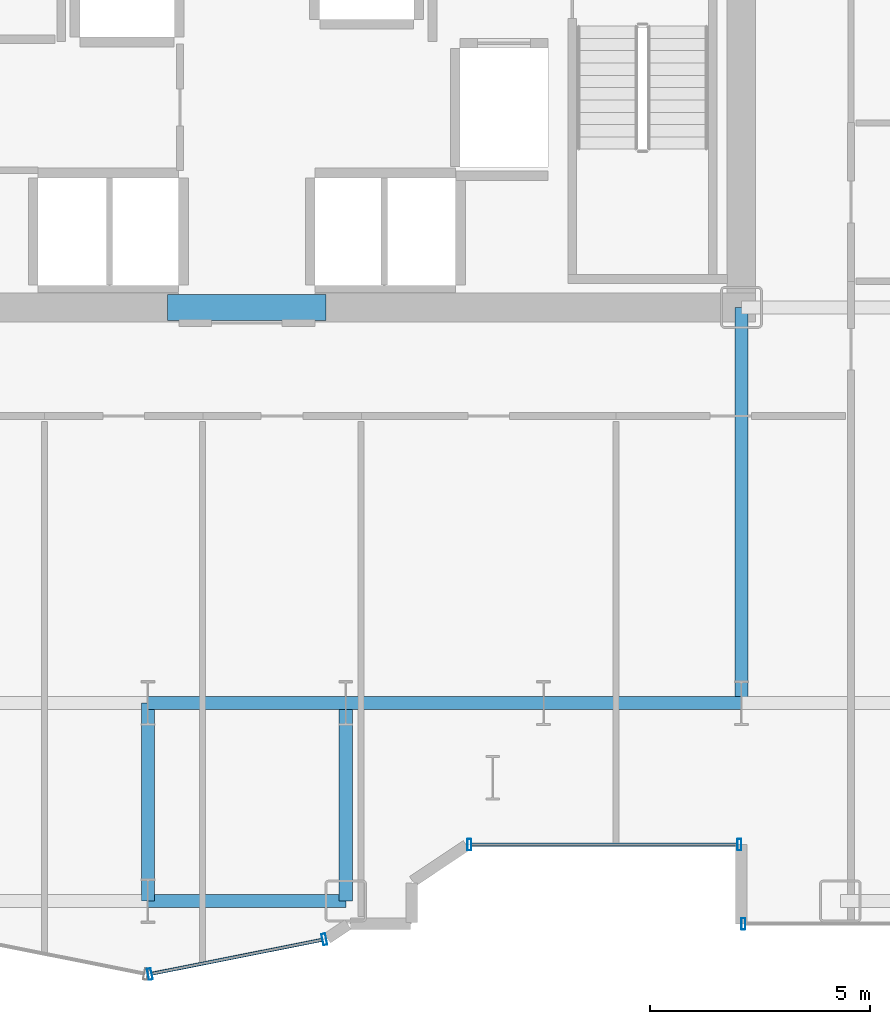
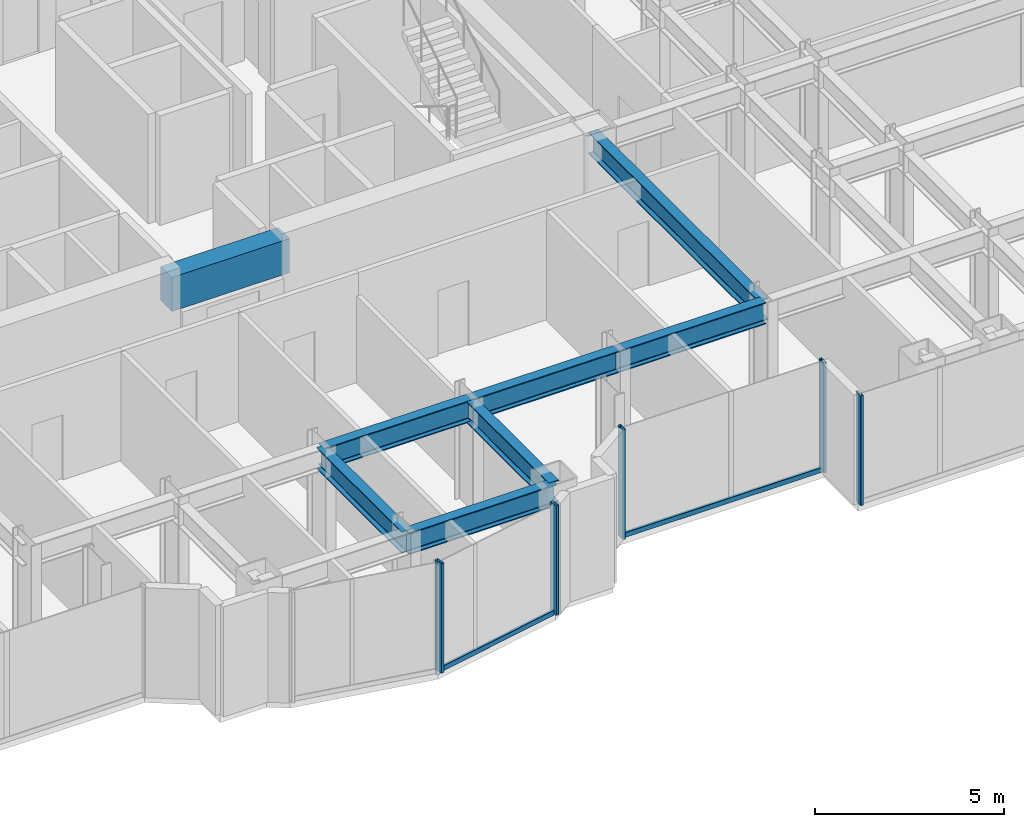
# One storey, part 6 of 26: 8 beams, 7 members, 3 elements without a shape of their own.
"""IFC4 building model written with IfcOpenShell, lengths in metres."""

from ifc_helpers import new_model, si_unit, direction, frame, origin, origin_2d, place, context, subcontext, project, spatial, rectangle, hollow_rectangle, i_section, extrude, source, transform, mapped, material, layer, layer_set, material_profile, profile_set, type_object, element, aggregate, save


model = new_model("IFC4")

# Units and contexts
model_context = context("Model", 3, precision=1e-05, world=origin(), true_north=direction((0.0, 1.0)))
body_context = subcontext(model_context, "Body", "Model", "MODEL_VIEW")
ifc_project = project(units=[si_unit("LENGTHUNIT", "METRE"), si_unit("AREAUNIT", "SQUARE_METRE"), si_unit("VOLUMEUNIT", "CUBIC_METRE"), si_unit("PLANEANGLEUNIT", "RADIAN"), si_unit("MASSUNIT", "GRAM", prefix="KILO")], contexts=[model_context])

# Site, building, storey
site_placement = place(None, origin())
site = spatial("IfcSite", under=ifc_project, at=site_placement, CompositionType="ELEMENT")
building_placement = place(site_placement, origin())
building = spatial("IfcBuilding", under=site, at=building_placement, Name="Nefas-Gora Pilgrimage Tower", CompositionType="ELEMENT")
storey_placement = place(building_placement, frame((0.0, 0.0, 36.800048828125)))
storey = spatial("IfcBuildingStorey", under=building, at=storey_placement, Name="L07", CompositionType="ELEMENT", Elevation=36.800048828125)

# Beams
ifc_material_1 = material(Name="Concrete C60/75", Category="concrete")
ifc_material_profile_1 = material_profile(ifc_material_1, rectangle(XDim=0.60009765625, YDim=1.10009765625, at=origin_2d()), Name="RC 600x1100")
ifc_profile_set_1 = profile_set([ifc_material_profile_1], Name="Concrete C60/75")
beam_type_1 = type_object("IfcBeamType", Name="BM-LIN-RC1100", PredefinedType="LINTEL", material=ifc_profile_set_1)
shared_shape_1 = source(origin(), body_context, "Body", "SweptSolid", [
    extrude(rectangle(XDim=0.60009765625, YDim=1.10009765625, at=origin_2d()), origin(), (0.0, 0.0, 1.0), 3.60009765625),
])
beam_1_placement = place(storey_placement, frame((-1.800048828125, -9.0, 3.0), z_axis=(1.0, 0.0, 0.0), x_axis=(0.0, 1.0, 0.0)))
element("IfcBeam", 1, at=beam_1_placement, inside=storey, type_object=beam_type_1, Name="L07 Core Coupling Lintel Beam S", PredefinedType="LINTEL", context=body_context, shape_type="MappedRepresentation", body=[
    mapped(shared_shape_1, transform((0.0, 0.0, 0.0), x_axis=(1.0, 0.0, 0.0), y_axis=(0.0, 1.0, 0.0), z_axis=(0.0, 0.0, 1.0), scale=1.0)),
])
ifc_material_2 = material(Name="Steel S355", Category="steel")
ifc_material_profile_2 = material_profile(ifc_material_2, i_section(OverallWidth=0.300048828125, OverallDepth=0.699951171875, WebThickness=0.01708984375, FlangeThickness=0.031982421875, FilletRadius=0.027099609375, at=origin_2d()), Name="HEB 700")
ifc_profile_set_2 = profile_set([ifc_material_profile_2], Name="Steel S355")
beam_type_2 = type_object("IfcBeamType", Name="BM-GIR-HEB700", PredefinedType="BEAM", material=ifc_profile_set_2)
shared_shape_2 = source(origin(), body_context, "Body", "SweptSolid", [
    extrude(i_section(OverallWidth=0.300048828125, OverallDepth=0.699951171875, WebThickness=0.01708984375, FlangeThickness=0.031982421875, FilletRadius=0.027099609375, at=origin_2d()), origin(), (0.0, 0.0, 1.0), 9.0),
])
beam_2_placement = place(storey_placement, frame((11.25, -18.0, 3.199951171875), z_axis=(0.0, 1.0, 0.0), x_axis=(-1.0, 0.0, 0.0)))
element("IfcBeam", 2, at=beam_2_placement, inside=storey, type_object=beam_type_2, Name="L07 G-02 beam", PredefinedType="BEAM", context=body_context, shape_type="MappedRepresentation", body=[
    mapped(shared_shape_2, transform((0.0, 0.0, 0.0), x_axis=(1.0, 0.0, 0.0), y_axis=(0.0, 1.0, 0.0), z_axis=(0.0, 0.0, 1.0), scale=1.0)),
])
shared_shape_3 = source(origin(), body_context, "Body", "SweptSolid", [
    extrude(i_section(OverallWidth=0.300048828125, OverallDepth=0.699951171875, WebThickness=0.01708984375, FlangeThickness=0.031982421875, FilletRadius=0.027099609375, at=origin_2d()), origin(), (0.0, 0.0, 1.0), 4.5),
])
for number, where, z_axis, x_axis, name in (
    (3, (-2.25, -22.5, 3.199951171875), (0.0, 1.0, 0.0), (-1.0, 0.0, 0.0), "L07 G-02 beam"),
    (4, (-2.25, -22.5, 3.199951171875), (1.0, 0.0, 0.0), (0.0, 1.0, 0.0), "L07 G-02 beam"),
    (5, (-2.25, -18.0, 3.199951171875), (1.0, 0.0, 0.0), (0.0, 1.0, 0.0), "L07 G-02 beam"),
    (6, (2.25, -22.5, 3.199951171875), (0.0, 1.0, 0.0), (-1.0, 0.0, 0.0), "L07 G-02 beam"),
    (7, (2.25, -18.0, 3.199951171875), (1.0, 0.0, 0.0), (0.0, 1.0, 0.0), "L07 G-02 beam"),
    (8, (6.75, -18.0, 3.199951171875), (1.0, 0.0, 0.0), (0.0, 1.0, 0.0), "L07 G-02 beam"),
):
    element("IfcBeam", number, at=place(storey_placement, frame(where, z_axis=z_axis, x_axis=x_axis)), inside=storey, type_object=beam_type_2, Name=name, PredefinedType="BEAM", context=body_context, shape_type="MappedRepresentation", body=[
        mapped(shared_shape_3, transform((0.0, 0.0, 0.0), x_axis=(1.0, 0.0, 0.0), y_axis=(0.0, 1.0, 0.0), z_axis=(0.0, 0.0, 1.0), scale=1.0)),
    ])

# Curtain wall, members
ifc_material_3 = material(Name="Dark ceramic-fritted solar-control aluminium-glass curtain wall", Category="aluminium")
ifc_layer_1 = layer(ifc_material_3, 0.219970703125)
ifc_layer_set_1 = layer_set([ifc_layer_1], Name="Dark ceramic-fritted solar-control aluminium-glass curtain wall")
curtain_wall_type_1 = type_object("IfcCurtainWallType", Name="CW-SYS-5", PredefinedType="NOTDEFINED", material=ifc_layer_set_1)
curtain_wall_1_placement = place(storey_placement, origin())
curtain_wall_1 = element("IfcCurtainWall", 9, at=curtain_wall_1_placement, inside=storey, type_object=curtain_wall_type_1, Name="L07 Unitised Curtain Wall CW5", PredefinedType="NOTDEFINED")
ifc_material_4 = material(Name="Anodised architectural aluminium", Category="aluminium")
ifc_material_profile_3 = material_profile(ifc_material_4, hollow_rectangle(XDim=0.090087890625, YDim=0.260009765625, WallThickness=0.006103515625, InnerFilletRadius=0.006103515625, OuterFilletRadius=0.011962890625, at=origin_2d()), Name="ALU MULLION 90x260")
ifc_profile_set_3 = profile_set([ifc_material_profile_3], Name="Anodised architectural aluminium")
member_type_1 = type_object("IfcMemberType", Name="CWM-MUL-5", PredefinedType="MULLION", material=ifc_profile_set_3)
shared_shape_4 = source(origin(), body_context, "Body", "SweptSolid", [
    extrude(hollow_rectangle(XDim=0.090087890625, YDim=0.260009765625, WallThickness=0.006103515625, InnerFilletRadius=0.006103515625, OuterFilletRadius=0.011962890625, at=origin_2d()), origin(), (0.0, 0.0, 1.0), 3.550048828125),
])
member_1_placement = place(storey_placement, frame((5.06298828125, -21.219970703125, 0.0), z_axis=(0.0, 0.0, 1.0), x_axis=(1.0, 0.0, 0.0)))
member_1 = element("IfcMember", 10, at=member_1_placement, type_object=member_type_1, Name="CW5 Mullion 1", PredefinedType="MULLION", context=body_context, shape_type="MappedRepresentation", body=[
    mapped(shared_shape_4, transform((0.0, 0.0, 0.0), x_axis=(1.0, 0.0, 0.0), y_axis=(0.0, 1.0, 0.0), z_axis=(0.0, 0.0, 1.0), scale=1.0)),
])
member_2_placement = place(storey_placement, frame((11.205078125, -21.219970703125, 0.0), z_axis=(0.0, 0.0, 1.0), x_axis=(1.0, 0.0, 0.0)))
member_2 = element("IfcMember", 11, at=member_2_placement, type_object=member_type_1, Name="CW5 Mullion 2", PredefinedType="MULLION", context=body_context, shape_type="MappedRepresentation", body=[
    mapped(shared_shape_4, transform((0.0, 0.0, 0.0), x_axis=(1.0, 0.0, 0.0), y_axis=(0.0, 1.0, 0.0), z_axis=(0.0, 0.0, 1.0), scale=1.0)),
])

curtain_wall_2_placement = place(storey_placement, origin())
curtain_wall_2 = element("IfcCurtainWall", 12, at=curtain_wall_2_placement, inside=storey, type_object=curtain_wall_type_1, Name="L07 Unitised Curtain Wall CW5", PredefinedType="NOTDEFINED")
member_3_placement = place(storey_placement, frame((-2.205810546875, -24.16357421875, 0.0), z_axis=(0.0, 0.0, 1.0), x_axis=(0.980782896852, 0.195102304554, 0.0)))
member_3 = element("IfcMember", 13, at=member_3_placement, type_object=member_type_1, Name="CW5 Mullion 1", PredefinedType="MULLION", context=body_context, shape_type="MappedRepresentation", body=[
    mapped(shared_shape_4, transform((0.0, 0.0, 0.0), x_axis=(1.0, 0.0, 0.0), y_axis=(0.0, 1.0, 0.0), z_axis=(0.0, 0.0, 1.0), scale=1.0)),
])
member_4_placement = place(storey_placement, frame((1.76318359375, -23.3740234375, 0.0), z_axis=(0.0, 0.0, 1.0), x_axis=(0.980782896852, 0.195102304554, 0.0)))
member_4 = element("IfcMember", 14, at=member_4_placement, type_object=member_type_1, Name="CW5 Mullion 2", PredefinedType="MULLION", context=body_context, shape_type="MappedRepresentation", body=[
    mapped(shared_shape_4, transform((0.0, 0.0, 0.0), x_axis=(1.0, 0.0, 0.0), y_axis=(0.0, 1.0, 0.0), z_axis=(0.0, 0.0, 1.0), scale=1.0)),
])

# Member
ifc_material_profile_4 = material_profile(ifc_material_4, hollow_rectangle(XDim=0.080078125, YDim=0.159912109375, WallThickness=0.00439453125, InnerFilletRadius=0.00439453125, OuterFilletRadius=0.009033203125, at=origin_2d()), Name="ALU TRANSOM 80x160")
ifc_profile_set_4 = profile_set([ifc_material_profile_4], Name="Anodised architectural aluminium")
member_type_2 = type_object("IfcMemberType", Name="CWM-TRN-5", PredefinedType="USERDEFINED", material=ifc_profile_set_4)
shared_shape_5 = source(origin(), body_context, "Body", "SweptSolid", [
    extrude(hollow_rectangle(XDim=0.080078125, YDim=0.159912109375, WallThickness=0.00439453125, InnerFilletRadius=0.00439453125, OuterFilletRadius=0.009033203125, at=origin_2d()), origin(), (0.0, 0.0, 1.0), 6.052001953125),
])
member_5_placement = place(storey_placement, frame((5.10791015625, -21.219970703125, 0.050048828125), z_axis=(1.0, 0.0, 0.0), x_axis=(0.0, 1.0, 0.0)))
member_5 = element("IfcMember", 15, at=member_5_placement, type_object=member_type_2, Name="CW5 Spandrel Transom", ObjectType="TRANSOM", PredefinedType="USERDEFINED", context=body_context, shape_type="MappedRepresentation", body=[
    mapped(shared_shape_5, transform((0.0, 0.0, 0.0), x_axis=(1.0, 0.0, 0.0), y_axis=(0.0, 1.0, 0.0), z_axis=(0.0, 0.0, 1.0), scale=1.0)),
])

aggregate(curtain_wall_1, [member_1, member_2, member_5])

# Curtain wall, member
ifc_layer_2 = layer(ifc_material_3, 0.219970703125)
ifc_layer_set_2 = layer_set([ifc_layer_2], Name="Dark ceramic-fritted solar-control aluminium-glass curtain wall")
curtain_wall_type_2 = type_object("IfcCurtainWallType", Name="CW-SYS-2", PredefinedType="NOTDEFINED", material=ifc_layer_set_2)
curtain_wall_3_placement = place(storey_placement, origin())
curtain_wall_3 = element("IfcCurtainWall", 16, at=curtain_wall_3_placement, inside=storey, type_object=curtain_wall_type_2, Name="L07 Unitised Curtain Wall CW2", PredefinedType="NOTDEFINED")
ifc_material_profile_5 = material_profile(ifc_material_4, hollow_rectangle(XDim=0.090087890625, YDim=0.260009765625, WallThickness=0.006103515625, InnerFilletRadius=0.006103515625, OuterFilletRadius=0.011962890625, at=origin_2d()), Name="ALU MULLION 90x260")
ifc_profile_set_5 = profile_set([ifc_material_profile_5], Name="Anodised architectural aluminium")
member_type_3 = type_object("IfcMemberType", Name="CWM-MUL-2", PredefinedType="MULLION", material=ifc_profile_set_5)
shared_shape_6 = source(origin(), body_context, "Body", "SweptSolid", [
    extrude(hollow_rectangle(XDim=0.090087890625, YDim=0.260009765625, WallThickness=0.006103515625, InnerFilletRadius=0.006103515625, OuterFilletRadius=0.011962890625, at=origin_2d()), origin(), (0.0, 0.0, 1.0), 3.550048828125),
])
member_6_placement = place(storey_placement, frame((11.294921875, -23.02001953125, 0.0), z_axis=(0.0, 0.0, 1.0), x_axis=(1.0, 0.0, 0.0)))
member_6 = element("IfcMember", 17, at=member_6_placement, type_object=member_type_3, Name="CW2 Mullion 1", PredefinedType="MULLION", context=body_context, shape_type="MappedRepresentation", body=[
    mapped(shared_shape_6, transform((0.0, 0.0, 0.0), x_axis=(1.0, 0.0, 0.0), y_axis=(0.0, 1.0, 0.0), z_axis=(0.0, 0.0, 1.0), scale=1.0)),
])
aggregate(curtain_wall_3, [member_6])

# Member
shared_shape_7 = source(origin(), body_context, "Body", "SweptSolid", [
    extrude(hollow_rectangle(XDim=0.080078125, YDim=0.159912109375, WallThickness=0.00439453125, InnerFilletRadius=0.00439453125, OuterFilletRadius=0.009033203125, at=origin_2d()), origin(), (0.0, 0.0, 1.0), 3.95654296875),
])
member_7_placement = place(storey_placement, frame((-2.16162109375, -24.15478515625, 0.050048828125), z_axis=(0.980781880918, 0.195107411605, 0.0), x_axis=(-0.195107411605, 0.980781880918, 0.0)))
member_7 = element("IfcMember", 18, at=member_7_placement, type_object=member_type_2, Name="CW5 Spandrel Transom", ObjectType="TRANSOM", PredefinedType="USERDEFINED", context=body_context, shape_type="MappedRepresentation", body=[
    mapped(shared_shape_7, transform((0.0, 0.0, 0.0), x_axis=(1.0, 0.0, 0.0), y_axis=(0.0, 1.0, 0.0), z_axis=(0.0, 0.0, 1.0), scale=1.0)),
])

aggregate(curtain_wall_2, [member_3, member_4, member_7])

save(model, "model.ifc")
